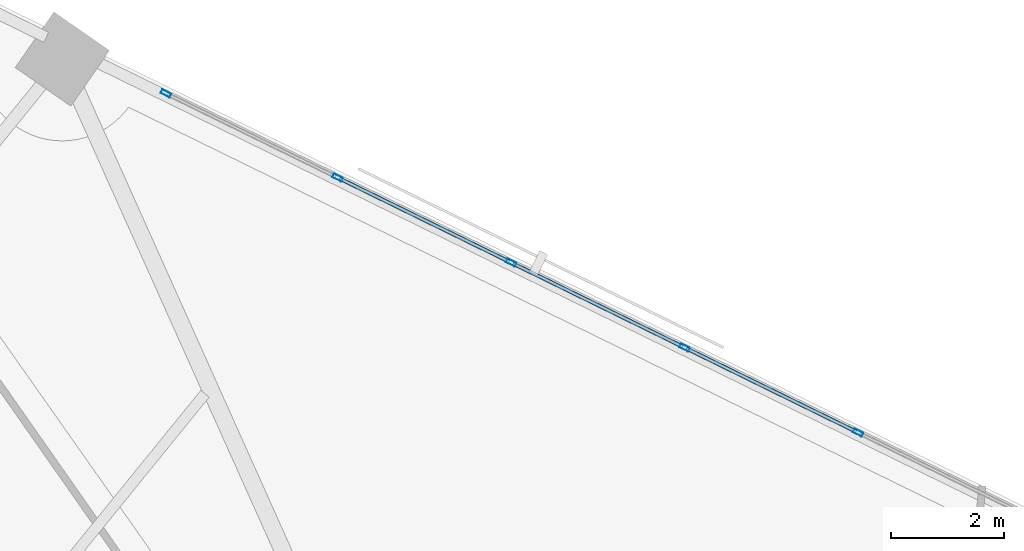
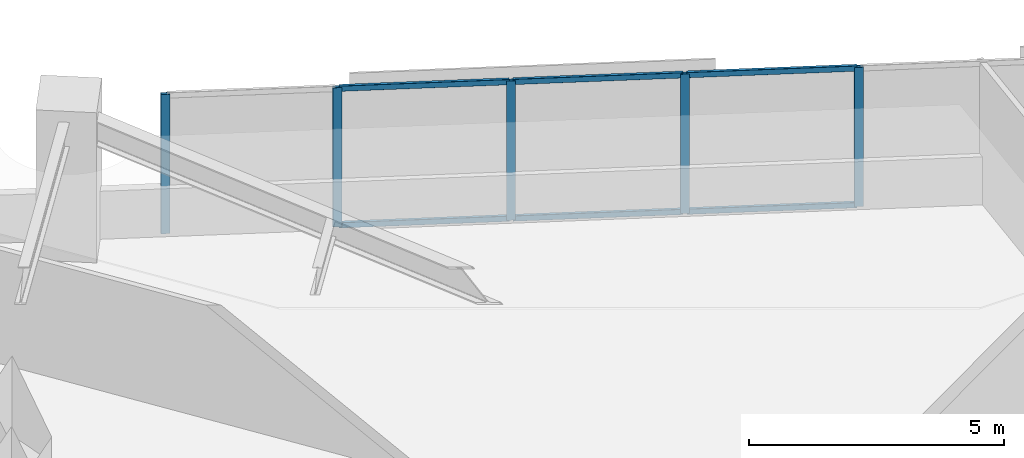
# One storey, part 10 of 18: 11 members, 1 element without a shape of its own.
"""IFC4 building model written with IfcOpenShell, lengths in metres."""

from ifc_helpers import new_model, si_unit, direction, frame, origin, origin_2d, place, context, subcontext, project, spatial, hollow_rectangle, extrude, material, material_profile, profile_set, type_object, element, aggregate, save


model = new_model("IFC4")

# Units and contexts
model_context = context("Model", 3, precision=1e-05, world=origin(), true_north=direction((0.0, 1.0)))
body_context = subcontext(model_context, "Body", "Model", "MODEL_VIEW")
ifc_project = project(units=[si_unit("LENGTHUNIT", "METRE"), si_unit("AREAUNIT", "SQUARE_METRE"), si_unit("VOLUMEUNIT", "CUBIC_METRE"), si_unit("PLANEANGLEUNIT", "RADIAN"), si_unit("MASSUNIT", "GRAM", prefix="KILO")], contexts=[model_context])

# Site, building, storey
site_placement = place(None, origin())
site = spatial("IfcSite", under=ifc_project, at=site_placement, CompositionType="ELEMENT")
building_placement = place(site_placement, origin())
building = spatial("IfcBuilding", under=site, at=building_placement, Name="Narakoshi Arena Tower", CompositionType="ELEMENT")
storey_placement = place(building_placement, frame((0.0, 0.0, 102.89990234375)))
storey = spatial("IfcBuildingStorey", under=building, at=storey_placement, Name="L27", CompositionType="ELEMENT", Elevation=102.89990234375)

# Curtain wall, members
ifc_material = material(Name="Anodised bronze aluminium 6063-T6", Category="aluminium")
curtain_wall_type = type_object("IfcCurtainWallType", Name="CW-HYP-LOW", PredefinedType="NOTDEFINED", material=ifc_material)
curtain_wall_placement = place(storey_placement, origin())
curtain_wall = element("IfcCurtainWall", 1, at=curtain_wall_placement, inside=storey, type_object=curtain_wall_type, Name="L27 Folded Hypotenuse Curtain Wall 2-1", PredefinedType="NOTDEFINED")
ifc_material_profile_1 = material_profile(ifc_material, hollow_rectangle(XDim=0.074951171875, YDim=0.179931640625, WallThickness=0.00390625, OuterFilletRadius=0.0048828125, at=origin_2d()), Name="MUL180x75x4")
ifc_profile_set_1 = profile_set([ifc_material_profile_1], Name="Anodised bronze aluminium 6063-T6")
member_type_1 = type_object("IfcMemberType", Name="MEM-MUL-180", PredefinedType="MULLION", material=ifc_profile_set_1)
member_1_placement = place(storey_placement, frame((78.41259765625, 67.01611328125, 0.0), z_axis=(0.0, 0.0, 1.0), x_axis=(-0.440004510198, -0.89799556291, 0.0)))
member_1 = element("IfcMember", 2, at=member_1_placement, type_object=member_type_1, Name="CW-01 mullion 4", PredefinedType="MULLION", context=body_context, shape_type="SweptSolid", body=[
    extrude(hollow_rectangle(XDim=0.074951171875, YDim=0.179931640625, WallThickness=0.00390625, OuterFilletRadius=0.0048828125, at=origin_2d()), origin(), (0.0, 0.0, 1.0), 3.340087890625),
])
member_2_placement = place(storey_placement, frame((75.33935546875, 68.52197265625, 0.0), z_axis=(0.0, 0.0, 1.0), x_axis=(-0.440004510198, -0.89799556291, 0.0)))
member_2 = element("IfcMember", 3, at=member_2_placement, type_object=member_type_1, Name="CW-01 mullion 5", PredefinedType="MULLION", context=body_context, shape_type="SweptSolid", body=[
    extrude(hollow_rectangle(XDim=0.074951171875, YDim=0.179931640625, WallThickness=0.00390625, OuterFilletRadius=0.0048828125, at=origin_2d()), origin(), (0.0, 0.0, 1.0), 3.340087890625),
])
member_3_placement = place(storey_placement, frame((72.26611328125, 70.028076171875, 0.0), z_axis=(0.0, 0.0, 1.0), x_axis=(-0.440004510198, -0.89799556291, 0.0)))
member_3 = element("IfcMember", 4, at=member_3_placement, type_object=member_type_1, Name="CW-01 mullion 6", PredefinedType="MULLION", context=body_context, shape_type="SweptSolid", body=[
    extrude(hollow_rectangle(XDim=0.074951171875, YDim=0.179931640625, WallThickness=0.00390625, OuterFilletRadius=0.0048828125, at=origin_2d()), origin(), (0.0, 0.0, 1.0), 3.340087890625),
])
member_4_placement = place(storey_placement, frame((69.19287109375, 71.533935546875, 0.0), z_axis=(0.0, 0.0, 1.0), x_axis=(-0.440004510198, -0.89799556291, 0.0)))
member_4 = element("IfcMember", 5, at=member_4_placement, type_object=member_type_1, Name="CW-01 mullion 7", PredefinedType="MULLION", context=body_context, shape_type="SweptSolid", body=[
    extrude(hollow_rectangle(XDim=0.074951171875, YDim=0.179931640625, WallThickness=0.00390625, OuterFilletRadius=0.0048828125, at=origin_2d()), origin(), (0.0, 0.0, 1.0), 3.340087890625),
])
member_5_placement = place(storey_placement, frame((66.153076171875, 73.023193359375, 0.0), z_axis=(0.0, 0.0, 1.0), x_axis=(-0.440004510198, -0.89799556291, 0.0)))
member_5 = element("IfcMember", 6, at=member_5_placement, type_object=member_type_1, Name="CW-01 mullion 8", PredefinedType="MULLION", context=body_context, shape_type="SweptSolid", body=[
    extrude(hollow_rectangle(XDim=0.074951171875, YDim=0.179931640625, WallThickness=0.00390625, OuterFilletRadius=0.0048828125, at=origin_2d()), origin(), (0.0, 0.0, 1.0), 3.340087890625),
])
ifc_material_profile_2 = material_profile(ifc_material, hollow_rectangle(XDim=0.06494140625, YDim=0.1298828125, WallThickness=0.00390625, OuterFilletRadius=0.0048828125, at=origin_2d()), Name="TRN130x65x4")
ifc_profile_set_2 = profile_set([ifc_material_profile_2], Name="Anodised bronze aluminium 6063-T6")
member_type_2 = type_object("IfcMemberType", Name="MEM-TRN-130", PredefinedType="USERDEFINED", material=ifc_profile_set_2)
member_6_placement = place(storey_placement, frame((78.37890625, 67.03271484375, 0.03271484375), z_axis=(-0.897986843255, 0.440022305503, 0.0), x_axis=(-0.440022305503, -0.897986843255, 0.0)))
member_6 = element("IfcMember", 7, at=member_6_placement, type_object=member_type_2, Name="CW-01 transom 4.1", ObjectType="TRANSOM", PredefinedType="USERDEFINED", context=body_context, shape_type="SweptSolid", body=[
    extrude(hollow_rectangle(XDim=0.06494140625, YDim=0.1298828125, WallThickness=0.00390625, OuterFilletRadius=0.0048828125, at=origin_2d()), origin(), (0.0, 0.0, 1.0), 3.347412109375),
])
member_7_placement = place(storey_placement, frame((78.37890625, 67.03271484375, 3.3076171875), z_axis=(-0.897986843255, 0.440022305503, 0.0), x_axis=(-0.440022305503, -0.897986843255, 0.0)))
member_7 = element("IfcMember", 8, at=member_7_placement, type_object=member_type_2, Name="CW-01 transom 4.2", ObjectType="TRANSOM", PredefinedType="USERDEFINED", context=body_context, shape_type="SweptSolid", body=[
    extrude(hollow_rectangle(XDim=0.06494140625, YDim=0.1298828125, WallThickness=0.00390625, OuterFilletRadius=0.0048828125, at=origin_2d()), origin(), (0.0, 0.0, 1.0), 3.347412109375),
])
member_8_placement = place(storey_placement, frame((75.3056640625, 68.53857421875, 0.03271484375), z_axis=(-0.897986843255, 0.440022305503, 0.0), x_axis=(-0.440022305503, -0.897986843255, 0.0)))
member_8 = element("IfcMember", 9, at=member_8_placement, type_object=member_type_2, Name="CW-01 transom 5.1", ObjectType="TRANSOM", PredefinedType="USERDEFINED", context=body_context, shape_type="SweptSolid", body=[
    extrude(hollow_rectangle(XDim=0.06494140625, YDim=0.1298828125, WallThickness=0.00390625, OuterFilletRadius=0.0048828125, at=origin_2d()), origin(), (0.0, 0.0, 1.0), 3.347412109375),
])
member_9_placement = place(storey_placement, frame((75.3056640625, 68.53857421875, 3.3076171875), z_axis=(-0.897986843255, 0.440022305503, 0.0), x_axis=(-0.440022305503, -0.897986843255, 0.0)))
member_9 = element("IfcMember", 10, at=member_9_placement, type_object=member_type_2, Name="CW-01 transom 5.2", ObjectType="TRANSOM", PredefinedType="USERDEFINED", context=body_context, shape_type="SweptSolid", body=[
    extrude(hollow_rectangle(XDim=0.06494140625, YDim=0.1298828125, WallThickness=0.00390625, OuterFilletRadius=0.0048828125, at=origin_2d()), origin(), (0.0, 0.0, 1.0), 3.347412109375),
])
member_10_placement = place(storey_placement, frame((72.232421875, 70.04443359375, 0.03271484375), z_axis=(-0.897986843255, 0.440022305503, 0.0), x_axis=(-0.440022305503, -0.897986843255, 0.0)))
member_10 = element("IfcMember", 11, at=member_10_placement, type_object=member_type_2, Name="CW-01 transom 6.1", ObjectType="TRANSOM", PredefinedType="USERDEFINED", context=body_context, shape_type="SweptSolid", body=[
    extrude(hollow_rectangle(XDim=0.06494140625, YDim=0.1298828125, WallThickness=0.00390625, OuterFilletRadius=0.0048828125, at=origin_2d()), origin(), (0.0, 0.0, 1.0), 3.347412109375),
])
member_11_placement = place(storey_placement, frame((72.232421875, 70.04443359375, 3.3076171875), z_axis=(-0.897986843255, 0.440022305503, 0.0), x_axis=(-0.440022305503, -0.897986843255, 0.0)))
member_11 = element("IfcMember", 12, at=member_11_placement, type_object=member_type_2, Name="CW-01 transom 6.2", ObjectType="TRANSOM", PredefinedType="USERDEFINED", context=body_context, shape_type="SweptSolid", body=[
    extrude(hollow_rectangle(XDim=0.06494140625, YDim=0.1298828125, WallThickness=0.00390625, OuterFilletRadius=0.0048828125, at=origin_2d()), origin(), (0.0, 0.0, 1.0), 3.347412109375),
])
aggregate(curtain_wall, [member_1, member_2, member_3, member_4, member_5, member_6, member_7, member_8, member_9, member_10, member_11])

save(model, "model.ifc")
